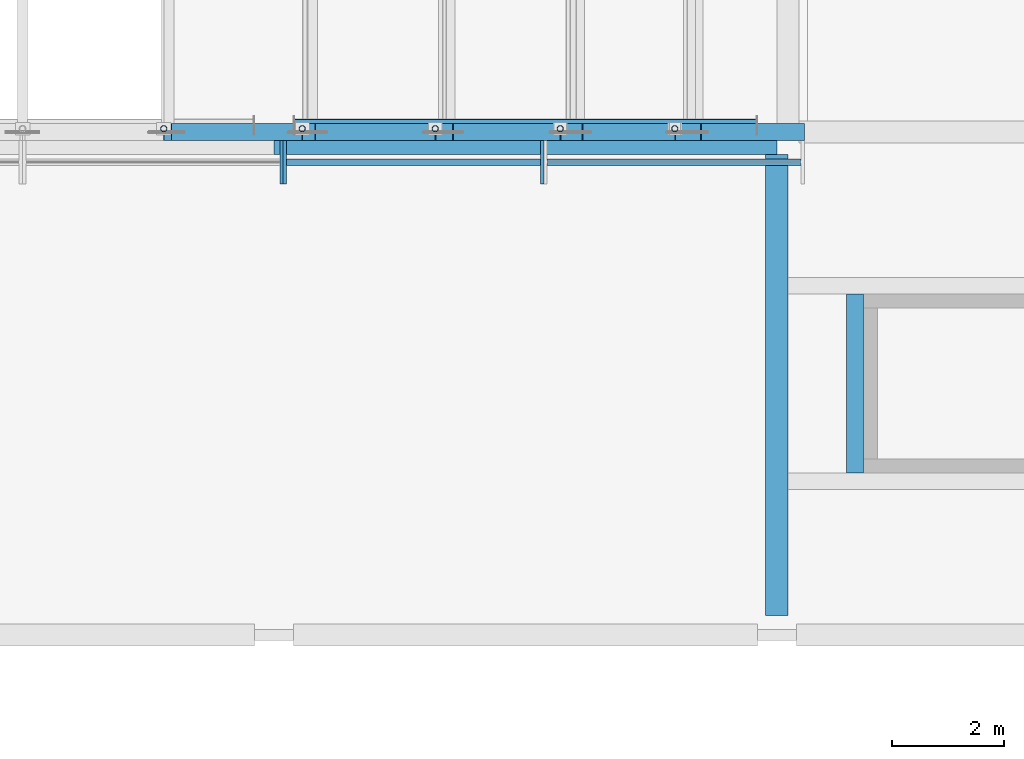
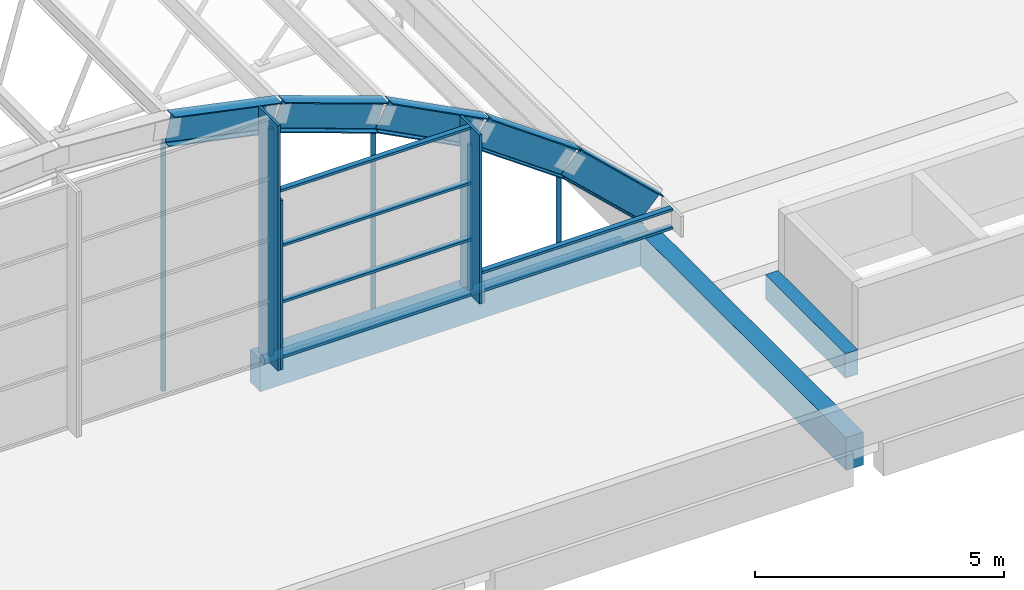
# One storey, part 7 of 43: 15 members, 8 beams, 3 elements without a shape of their own.
"""IFC4 building model written with IfcOpenShell, lengths in metres."""

import ifcopenshell
import ifcopenshell.guid

model = None  # the IFC model being written
_history = None  # IfcOwnerHistory: only IFC2X3 demands one
_inside = {}  # id of a spatial element -> (the spatial element, [elements in it])
_under = {}  # id of a project, library or spatial element -> (it, [spatial elements below it])
_declared = {}  # id of a project -> (the project, [libraries it declares])
_typed = {}  # id of a type object -> (the type object, [elements of that type])
_made_of = {}  # id of a material, layer set ... -> (it, [elements and type objects made of it])


def new_model(schema):
    """Start an empty IFC model of exactly this schema.

    Asked for "IFC4X3", IfcOpenShell would pick the latest addendum, in which some entities
    have other attributes; the version numbers below select the first issue.
    IFC2X3 requires an IfcOwnerHistory on every rooted entity: one is made here for all.
    """
    global model, _history
    if schema == "IFC4X3":
        model = ifcopenshell.file(schema_version=(4, 3, 0, 0))
    else:
        model = ifcopenshell.file(schema=schema)
    _inside.clear()
    _under.clear()
    _declared.clear()
    _typed.clear()
    _made_of.clear()
    _history = None
    if model.schema == "IFC2X3":
        org = make("IfcOrganization", Name="unknown")
        user = make(
            "IfcPersonAndOrganization",
            ThePerson=make("IfcPerson", FamilyName="unknown"),
            TheOrganization=org,
        )
        app = make(
            "IfcApplication",
            ApplicationDeveloper=org,
            Version="unknown",
            ApplicationFullName="unknown",
            ApplicationIdentifier="unknown",
        )
        _history = make(
            "IfcOwnerHistory",
            OwningUser=user,
            OwningApplication=app,
            ChangeAction="ADDED",
            CreationDate=0,
        )
    return model


def make(cls, **values):
    """One entity of the class cls with the attributes given. An attribute that is None is left unset."""
    return model.create_entity(
        cls, **{name: value for name, value in values.items() if value is not None}
    )


def rooted(cls, **values):
    """An entity with a GlobalId (a new one), such as an element, a storey or a relation."""
    return make(cls, GlobalId=ifcopenshell.guid.new(), OwnerHistory=_history, **values)


def si_unit(unit_type, name, prefix=None):
    """IfcSIUnit, for example si_unit("LENGTHUNIT", "METRE", prefix="MILLI")."""
    return make("IfcSIUnit", UnitType=unit_type, Prefix=prefix, Name=name)


def assignment(units):
    """IfcUnitAssignment: the units of a project."""
    return None if units is None else make("IfcUnitAssignment", Units=units)


def point(xyz):
    """IfcCartesianPoint."""
    return None if xyz is None else make("IfcCartesianPoint", Coordinates=xyz)


def direction(xyz):
    """IfcDirection."""
    return None if xyz is None else make("IfcDirection", DirectionRatios=xyz)


def frame(location, z_axis=None, x_axis=None):
    """IfcAxis2Placement3D, a coordinate frame: its origin and axes. An axis left out is left unset."""
    return make(
        "IfcAxis2Placement3D",
        Location=point(location),
        Axis=direction(z_axis),
        RefDirection=direction(x_axis),
    )


def frame_2d(location, x_axis=None):
    """IfcAxis2Placement2D, a coordinate frame in the plane: its origin and x axis."""
    return make(
        "IfcAxis2Placement2D", Location=point(location), RefDirection=direction(x_axis)
    )


def origin():
    """The frame at (0, 0, 0) with its axes left unset."""
    return frame((0.0, 0.0, 0.0))


def origin_2d():
    """The frame at (0, 0) in the plane with its x axis left unset."""
    return frame_2d((0.0, 0.0))


def place(relative_to, where):
    """IfcLocalPlacement: puts the frame where relative to a parent placement (None: the world)."""
    return make(
        "IfcLocalPlacement", PlacementRelTo=relative_to, RelativePlacement=where
    )


def context(
    kind, dimensions, precision=None, world=None, true_north=None, identifier=None
):
    """IfcGeometricRepresentationContext, for example the 3D "Model" context."""
    return make(
        "IfcGeometricRepresentationContext",
        ContextIdentifier=identifier,
        ContextType=kind,
        CoordinateSpaceDimension=dimensions,
        Precision=precision,
        WorldCoordinateSystem=world,
        TrueNorth=true_north,
    )


def subcontext(parent, identifier, kind, view, scale=None):
    """IfcGeometricRepresentationSubContext, for example "Body" below "Model"."""
    return make(
        "IfcGeometricRepresentationSubContext",
        ContextIdentifier=identifier,
        ContextType=kind,
        ParentContext=parent,
        TargetScale=scale,
        TargetView=view,
    )


def project(units=None, contexts=None):
    """IfcProject with its units and contexts."""
    return rooted(
        "IfcProject",
        Name="project",
        RepresentationContexts=contexts,
        UnitsInContext=assignment(units),
    )


def spatial(cls, under=None, at=None, **own):
    """A site, building, storey or space (cls), placed at a placement, below another one or the project."""
    s = rooted(cls, ObjectPlacement=at, **own)
    if under is not None:
        _under.setdefault(under.id(), (under, []))[1].append(s)
    return s


def profile(cls, at=None, kind="AREA", **sizes):
    """A parametric profile (cls). Its sizes go by their IFC names, for example OverallWidth=200.0."""
    return make(cls, ProfileType=kind, Position=at, **sizes)


def rectangle(**sizes):
    """IfcRectangleProfileDef."""
    return profile("IfcRectangleProfileDef", **sizes)


def hollow_circle(**sizes):
    """IfcCircleHollowProfileDef."""
    return profile("IfcCircleHollowProfileDef", **sizes)


def i_section(**sizes):
    """IfcIShapeProfileDef."""
    return profile("IfcIShapeProfileDef", **sizes)


def extrude(swept, where, along, depth):
    """IfcExtrudedAreaSolid: the profile swept, set in the frame where, extruded along a direction by depth."""
    return make(
        "IfcExtrudedAreaSolid",
        SweptArea=swept,
        Position=where,
        ExtrudedDirection=direction(along),
        Depth=depth,
    )


def shape(context_of_items, identifier, shape_type, items):
    """IfcShapeRepresentation: the items that make up one representation, for example the "Body"."""
    return make(
        "IfcShapeRepresentation",
        ContextOfItems=context_of_items,
        RepresentationIdentifier=identifier,
        RepresentationType=shape_type,
        Items=items,
    )


def material(Name=None, Category=None):
    """IfcMaterial."""
    return make("IfcMaterial", Name=Name, Category=Category)


def layer(
    of_material, thickness, ventilated=None, Name=None, Category=None, Priority=None
):
    """IfcMaterialLayer: one layer of a wall or slab, of a material (None: an air gap)."""
    return make(
        "IfcMaterialLayer",
        Material=of_material,
        LayerThickness=thickness,
        IsVentilated=ventilated,
        Name=Name,
        Category=Category,
        Priority=Priority,
    )


def layer_set(layers, Name=None):
    """IfcMaterialLayerSet."""
    return make("IfcMaterialLayerSet", MaterialLayers=layers, LayerSetName=Name)


def material_profile(
    of_material, cross_section, Name=None, Category=None, Priority=None
):
    """IfcMaterialProfile: a cross section and its material."""
    return make(
        "IfcMaterialProfile",
        Name=Name,
        Material=of_material,
        Profile=cross_section,
        Priority=Priority,
        Category=Category,
    )


def profile_set(profiles, Name=None, composite=None):
    """IfcMaterialProfileSet."""
    return make(
        "IfcMaterialProfileSet",
        Name=Name,
        MaterialProfiles=profiles,
        CompositeProfile=composite,
    )


def made_of(thing, what):
    """Note that an element or type object is made of a material, layer set ...; save() writes the relation."""
    if what is not None:
        _made_of.setdefault(what.id(), (what, []))[1].append(thing)
    return thing


def type_object(cls, material=None, **own):
    """A type object (cls), such as IfcWallType, which elements share."""
    return made_of(rooted(cls, **own), material)


def element(
    cls,
    number,
    at=None,
    inside=None,
    cuts=None,
    type_object=None,
    material=None,
    context=None,
    identifier="Body",
    shape_type=None,
    held_by="IfcProductDefinitionShape",
    body=None,
    shapes=None,
    **own,
):
    """One element of the class cls, such as IfcWall. Its Tag is "e" and its number.

    at: its placement. inside: the storey or other place that contains it. cuts: it is an
    opening in that element (IfcRelVoidsElement). A single representation is given by context,
    identifier, shape_type and body (its items); several are given by shapes. held_by: the class
    of the entity that holds the representations. save() writes the other relations.
    """
    e = rooted(cls, Tag="e%d" % number, ObjectPlacement=at, **own)
    if body is not None:
        shapes = [shape(context, identifier, shape_type, body)]
    if shapes is not None:
        e.Representation = make(held_by, Representations=shapes)
    if inside is not None:
        _inside.setdefault(inside.id(), (inside, []))[1].append(e)
    if cuts is not None:
        rooted(
            "IfcRelVoidsElement", RelatingBuildingElement=cuts, RelatedOpeningElement=e
        )
    if type_object is not None:
        _typed.setdefault(type_object.id(), (type_object, []))[1].append(e)
    return made_of(e, material)


def aggregate(whole, parts):
    """IfcRelAggregates: a whole, such as a stair, and the parts it consists of."""
    return rooted("IfcRelAggregates", RelatingObject=whole, RelatedObjects=parts)


def save(model, path):
    """Write the relations noted so far, then the file.

    IfcRelAggregates (storeys below a building ...), IfcRelContainedInSpatialStructure (elements
    in a storey), IfcRelDefinesByType, IfcRelAssociatesMaterial and IfcRelDeclares: one each for
    every whole, place, type object, material and project.
    """
    for whole, parts in _under.values():
        aggregate(whole, parts)
    for where, things in _inside.values():
        rooted(
            "IfcRelContainedInSpatialStructure",
            RelatedElements=things,
            RelatingStructure=where,
        )
    for kind, things in _typed.values():
        rooted("IfcRelDefinesByType", RelatedObjects=things, RelatingType=kind)
    for what, things in _made_of.values():
        rooted("IfcRelAssociatesMaterial", RelatedObjects=things, RelatingMaterial=what)
    for by, libraries in _declared.values():
        rooted("IfcRelDeclares", RelatingContext=by, RelatedDefinitions=libraries)
    model.write(path)


model = new_model("IFC4")

# Units and contexts
model_context = context("Model", 3, precision=1e-05, world=origin(), true_north=direction((0.0, 1.0)))
body_context = subcontext(model_context, "Body", "Model", "MODEL_VIEW")
ifc_project = project(units=[si_unit("LENGTHUNIT", "METRE"), si_unit("AREAUNIT", "SQUARE_METRE"), si_unit("VOLUMEUNIT", "CUBIC_METRE"), si_unit("PLANEANGLEUNIT", "RADIAN"), si_unit("MASSUNIT", "GRAM", prefix="KILO")], contexts=[model_context])

# Site, building, storey
site_placement = place(None, origin())
site = spatial("IfcSite", under=ifc_project, at=site_placement, CompositionType="ELEMENT")
building_placement = place(site_placement, origin())
building = spatial("IfcBuilding", under=site, at=building_placement, Name="Guidao Yard Department Store", CompositionType="ELEMENT")
storey_placement = place(building_placement, frame((0.0, 0.0, 28.5)))
storey = spatial("IfcBuildingStorey", under=building, at=storey_placement, Name="L06", CompositionType="ELEMENT", Elevation=28.5)

# Members
ifc_material_1 = material(Name="Steel Q355B", Category="steel")
ifc_material_profile_1 = material_profile(ifc_material_1, hollow_circle(Radius=0.056884765625, WallThickness=0.006103515625, at=origin_2d()), Name="CHS 114x6")
ifc_profile_set_1 = profile_set([ifc_material_profile_1], Name="Steel Q355B")
member_type_1 = type_object("IfcMemberType", Name="CHS 114x6", PredefinedType="BRACE", material=ifc_profile_set_1)
member_1_placement = place(storey_placement, frame((34.02734375, 54.06005859375, -0.33447265625), z_axis=(0.0, 0.0, 1.0), x_axis=(1.0, 0.0, 0.0)))
element("IfcMember", 1, at=member_1_placement, inside=storey, type_object=member_type_1, Name="Roof web strut A01-07", PredefinedType="BRACE", context=body_context, shape_type="SweptSolid", body=[
    extrude(hollow_circle(Radius=0.056884765625, WallThickness=0.006103515625, at=origin_2d()), origin(), (0.0, 0.0, 1.0), 6.064697265625),
])
member_2_placement = place(storey_placement, frame((36.50537109375, 54.06005859375, -0.33447265625), z_axis=(0.0, 0.0, 1.0), x_axis=(1.0, 0.0, 0.0)))
element("IfcMember", 2, at=member_2_placement, inside=storey, type_object=member_type_1, Name="Roof web strut A01-08", PredefinedType="BRACE", context=body_context, shape_type="SweptSolid", body=[
    extrude(hollow_circle(Radius=0.056884765625, WallThickness=0.006103515625, at=origin_2d()), origin(), (0.0, 0.0, 1.0), 5.548583984375),
])
member_3_placement = place(storey_placement, frame((38.88623046875, 54.06005859375, -0.33447265625), z_axis=(0.0, 0.0, 1.0), x_axis=(1.0, 0.0, 0.0)))
element("IfcMember", 3, at=member_3_placement, inside=storey, type_object=member_type_1, Name="Roof web strut A01-09", PredefinedType="BRACE", context=body_context, shape_type="SweptSolid", body=[
    extrude(hollow_circle(Radius=0.056884765625, WallThickness=0.006103515625, at=origin_2d()), origin(), (0.0, 0.0, 1.0), 4.69970703125),
])
member_4_placement = place(storey_placement, frame((41.123291015625, 54.06005859375, -0.33447265625), z_axis=(0.0, 0.0, 1.0), x_axis=(1.0, 0.0, 0.0)))
element("IfcMember", 4, at=member_4_placement, inside=storey, type_object=member_type_1, Name="Roof web strut A01-10", PredefinedType="BRACE", context=body_context, shape_type="SweptSolid", body=[
    extrude(hollow_circle(Radius=0.056884765625, WallThickness=0.006103515625, at=origin_2d()), origin(), (0.0, 0.0, 1.0), 3.534423828125),
])
member_5_placement = place(storey_placement, frame((43.173583984375, 54.06005859375, -0.33447265625), z_axis=(0.0, 0.0, 1.0), x_axis=(1.0, 0.0, 0.0)))
element("IfcMember", 5, at=member_5_placement, inside=storey, type_object=member_type_1, Name="Roof web strut A01-11", PredefinedType="BRACE", context=body_context, shape_type="SweptSolid", body=[
    extrude(hollow_circle(Radius=0.056884765625, WallThickness=0.006103515625, at=origin_2d()), origin(), (0.0, 0.0, 1.0), 2.075439453125),
])
ifc_material_2 = material(Name="Steel Q355B", Category="steel")
ifc_material_profile_2 = material_profile(ifc_material_2, hollow_circle(Radius=0.109619140625, WallThickness=0.010009765625, at=origin_2d()), Name="CHS 219x10")
ifc_profile_set_2 = profile_set([ifc_material_profile_2], Name="Steel Q355B")
member_type_2 = type_object("IfcMemberType", Name="CHS 219x10", PredefinedType="BRACE", material=ifc_profile_set_2)
member_6_placement = place(storey_placement, frame((36.35009765625, 54.1201171875, -0.449951171875), z_axis=(1.0, 0.0, 0.0), x_axis=(0.0, 1.0, 0.0)))
element("IfcMember", 6, at=member_6_placement, inside=storey, type_object=member_type_2, Name="Roof tie rod A01-3", PredefinedType="BRACE", context=body_context, shape_type="SweptSolid", body=[
    extrude(hollow_circle(Radius=0.109619140625, WallThickness=0.010009765625, at=origin_2d()), origin(), (0.0, 0.0, 1.0), 8.2998046875),
])

# Beams
ifc_material_3 = material(Name="Concrete C40", Category="concrete")
ifc_material_profile_3 = material_profile(ifc_material_3, rectangle(XDim=0.39990234375, YDim=0.800048828125, at=origin_2d()), Name="Edge beam 400 x 800 C40")
ifc_profile_set_3 = profile_set([ifc_material_profile_3], Name="Concrete C40")
beam_type_1 = type_object("IfcBeamType", Name="Edge beam 400 x 800 C40", PredefinedType="BEAM", material=ifc_profile_set_3)
beam_1_placement = place(storey_placement, frame((45.0, 45.35009765625, -0.39990234375), z_axis=(0.0, 1.0, 0.0), x_axis=(-1.0, 0.0, 0.0)))
element("IfcBeam", 7, at=beam_1_placement, inside=storey, type_object=beam_type_1, Name="Beam EB29", PredefinedType="BEAM", context=body_context, shape_type="SweptSolid", body=[
    extrude(rectangle(XDim=0.39990234375, YDim=0.800048828125, at=origin_2d()), origin(), (0.0, 0.0, 1.0), 8.25),
])
ifc_material_4 = material(Name="Steel Q355B", Category="steel")
ifc_material_profile_4 = material_profile(ifc_material_4, i_section(OverallWidth=0.300048828125, OverallDepth=0.699951171875, WebThickness=0.012939453125, FlangeThickness=0.02392578125, FilletRadius=0.01806640625, at=origin_2d()), Name="HN 700x300x13x24")
ifc_profile_set_4 = profile_set([ifc_material_profile_4], Name="Steel Q355B")
beam_type_2 = type_object("IfcBeamType", Name="HN 700x300x13x24", PredefinedType="BEAM", material=ifc_profile_set_4)
beam_2_placement = place(storey_placement, frame((34.0986328125, 54.0, 6.072998046875), z_axis=(0.978991652307, 0.0, -0.203900330343), x_axis=(0.0, 1.0, 0.0)))
element("IfcBeam", 8, at=beam_2_placement, inside=storey, type_object=beam_type_2, Name="Roof rib A01-08", PredefinedType="BEAM", context=body_context, shape_type="SweptSolid", body=[
    extrude(i_section(OverallWidth=0.300048828125, OverallDepth=0.699951171875, WebThickness=0.012939453125, FlangeThickness=0.02392578125, FilletRadius=0.01806640625, at=origin_2d()), origin(), (0.0, 0.0, 1.0), 2.53125),
])
beam_3_placement = place(storey_placement, frame((36.622802734375, 54.0, 5.5439453125), z_axis=(0.94189041097, 0.0, -0.335920308588), x_axis=(0.0, 1.0, 0.0)))
element("IfcBeam", 9, at=beam_3_placement, inside=storey, type_object=beam_type_2, Name="Roof rib A01-09", PredefinedType="BEAM", context=body_context, shape_type="SweptSolid", body=[
    extrude(i_section(OverallWidth=0.300048828125, OverallDepth=0.699951171875, WebThickness=0.012939453125, FlangeThickness=0.02392578125, FilletRadius=0.01806640625, at=origin_2d()), origin(), (0.0, 0.0, 1.0), 2.52783203125),
])
beam_4_placement = place(storey_placement, frame((39.0478515625, 54.0, 4.675537109375), z_axis=(0.886910779875, 0.0, -0.461940763023), x_axis=(0.0, 1.0, 0.0)))
element("IfcBeam", 10, at=beam_4_placement, inside=storey, type_object=beam_type_2, Name="Roof rib A01-10", PredefinedType="BEAM", context=body_context, shape_type="SweptSolid", body=[
    extrude(i_section(OverallWidth=0.300048828125, OverallDepth=0.699951171875, WebThickness=0.012939453125, FlangeThickness=0.02392578125, FilletRadius=0.01806640625, at=origin_2d()), origin(), (0.0, 0.0, 1.0), 2.5224609375),
])
beam_5_placement = place(storey_placement, frame((41.326416015625, 54.0, 3.485107421875), z_axis=(0.814735308412, 0.0, -0.579833059791), x_axis=(0.0, 1.0, 0.0)))
element("IfcBeam", 11, at=beam_5_placement, inside=storey, type_object=beam_type_2, Name="Roof rib A01-11", PredefinedType="BEAM", context=body_context, shape_type="SweptSolid", body=[
    extrude(i_section(OverallWidth=0.300048828125, OverallDepth=0.699951171875, WebThickness=0.012939453125, FlangeThickness=0.02392578125, FilletRadius=0.01806640625, at=origin_2d()), origin(), (0.0, 0.0, 1.0), 2.51611328125),
])
beam_6_placement = place(storey_placement, frame((43.4140625, 54.0, 1.995361328125), z_axis=(0.726628290109, 0.0, -0.687030805724), x_axis=(0.0, 1.0, 0.0)))
element("IfcBeam", 12, at=beam_6_placement, inside=storey, type_object=beam_type_2, Name="Roof rib A01-12", PredefinedType="BEAM", context=body_context, shape_type="SweptSolid", body=[
    extrude(i_section(OverallWidth=0.300048828125, OverallDepth=0.699951171875, WebThickness=0.012939453125, FlangeThickness=0.02392578125, FilletRadius=0.01806640625, at=origin_2d()), origin(), (0.0, 0.0, 1.0), 2.533935546875),
])

# Curtain wall, member
ifc_material_5 = material(Name="Aluminium and glass", Category="aluminium")
ifc_layer = layer(ifc_material_5, 0.159912109375)
ifc_layer_set = layer_set([ifc_layer], Name="Gable glazing CW7 1500 module")
curtain_wall_type = type_object("IfcCurtainWallType", Name="Gable glazing CW7 1500 module", PredefinedType="NOTDEFINED", material=ifc_layer_set)
curtain_wall_1_placement = place(storey_placement, origin())
curtain_wall_1 = element("IfcCurtainWall", 13, at=curtain_wall_1_placement, inside=storey, type_object=curtain_wall_type, Name="Gable glazing AS4", PredefinedType="NOTDEFINED")
ifc_material_6 = material(Name="Aluminium 6063-T5", Category="aluminium")
ifc_material_profile_5 = material_profile(ifc_material_6, rectangle(XDim=0.06005859375, YDim=0.780029296875, at=origin_2d()), Name="Mullion M3 60 x 780 aluminium pressure plate")
ifc_profile_set_5 = profile_set([ifc_material_profile_5], Name="Aluminium 6063-T5")
member_type_3 = type_object("IfcMemberType", Name="Mullion M3 60 x 780 aluminium pressure plate", PredefinedType="MULLION", material=ifc_profile_set_5)
member_7_placement = place(storey_placement, frame((36.13525390625, 53.4599609375, 0.0), z_axis=(0.0, 0.0, 1.0), x_axis=(-1.0, 0.0, 0.0)))
member_7 = element("IfcMember", 14, at=member_7_placement, type_object=member_type_3, Name="CW-TAS4 mullion 2", PredefinedType="MULLION", context=body_context, shape_type="SweptSolid", body=[
    extrude(rectangle(XDim=0.06005859375, YDim=0.780029296875, at=origin_2d()), origin(), (0.0, 0.0, 1.0), 6.0),
])
aggregate(curtain_wall_1, [member_7])

# Curtain wall, members
curtain_wall_2_placement = place(storey_placement, origin())
curtain_wall_2 = element("IfcCurtainWall", 15, at=curtain_wall_2_placement, inside=storey, type_object=curtain_wall_type, Name="Gable glazing AS5", PredefinedType="NOTDEFINED")
member_8_placement = place(storey_placement, frame((36.1953125, 53.4599609375, 0.0), z_axis=(0.0, 0.0, 1.0), x_axis=(-1.0, 0.0, 0.0)))
member_8 = element("IfcMember", 16, at=member_8_placement, type_object=member_type_3, Name="CW-TAS5 mullion 1", PredefinedType="MULLION", context=body_context, shape_type="SweptSolid", body=[
    extrude(rectangle(XDim=0.06005859375, YDim=0.780029296875, at=origin_2d()), origin(), (0.0, 0.0, 1.0), 4.1416015625),
])
member_9_placement = place(storey_placement, frame((40.800537109375, 53.4599609375, 0.0), z_axis=(0.0, 0.0, 1.0), x_axis=(-1.0, 0.0, 0.0)))
member_9 = element("IfcMember", 17, at=member_9_placement, type_object=member_type_3, Name="CW-TAS5 mullion 2", PredefinedType="MULLION", context=body_context, shape_type="SweptSolid", body=[
    extrude(rectangle(XDim=0.06005859375, YDim=0.780029296875, at=origin_2d()), origin(), (0.0, 0.0, 1.0), 4.1416015625),
])

# Beam
ifc_material_7 = material(Name="Concrete C40", Category="concrete")
ifc_material_profile_6 = material_profile(ifc_material_7, rectangle(XDim=0.300048828125, YDim=0.60009765625, at=origin_2d()), Name="Opening beam 300 x 600 C40")
ifc_profile_set_6 = profile_set([ifc_material_profile_6], Name="Concrete C40")
beam_type_3 = type_object("IfcBeamType", Name="Opening beam 300 x 600 C40", PredefinedType="BEAM", material=ifc_profile_set_6)
beam_7_placement = place(storey_placement, frame((46.39990234375, 47.89990234375, -0.300048828125), z_axis=(0.0, 1.0, 0.0), x_axis=(-1.0, 0.0, 0.0)))
element("IfcBeam", 18, at=beam_7_placement, inside=storey, type_object=beam_type_3, Name="Beam OB07", PredefinedType="BEAM", context=body_context, shape_type="SweptSolid", body=[
    extrude(rectangle(XDim=0.300048828125, YDim=0.60009765625, at=origin_2d()), origin(), (0.0, 0.0, 1.0), 3.2001953125),
])

# Member
ifc_material_8 = material(Name="Aluminium 6063-T5", Category="aluminium")
ifc_material_profile_7 = material_profile(ifc_material_8, rectangle(XDim=0.1201171875, YDim=0.06005859375, at=origin_2d()), Name="Transom T1 60 x 120 aluminium pressure plate")
ifc_profile_set_7 = profile_set([ifc_material_profile_7], Name="Aluminium 6063-T5")
member_type_4 = type_object("IfcMemberType", Name="Transom T1 60 x 120 aluminium pressure plate", PredefinedType="USERDEFINED", material=ifc_profile_set_7)
member_10_placement = place(storey_placement, frame((40.7705078125, 53.4599609375, 0.030029296875), z_axis=(-1.0, 0.0, 0.0), x_axis=(0.0, -1.0, 0.0)))
member_10 = element("IfcMember", 19, at=member_10_placement, type_object=member_type_4, Name="CW-TAS5 transom 1.1", ObjectType="TRANSOM", PredefinedType="USERDEFINED", context=body_context, shape_type="SweptSolid", body=[
    extrude(rectangle(XDim=0.1201171875, YDim=0.06005859375, at=origin_2d()), origin(), (0.0, 0.0, 1.0), 4.545166015625),
])

member_11_placement = place(storey_placement, frame((40.7705078125, 53.4599609375, 1.380615234375), z_axis=(-1.0, 0.0, 0.0), x_axis=(0.0, -1.0, 0.0)))
member_11 = element("IfcMember", 20, at=member_11_placement, type_object=member_type_4, Name="CW-TAS5 transom 1.2", ObjectType="TRANSOM", PredefinedType="USERDEFINED", context=body_context, shape_type="SweptSolid", body=[
    extrude(rectangle(XDim=0.1201171875, YDim=0.06005859375, at=origin_2d()), origin(), (0.0, 0.0, 1.0), 4.545166015625),
])

member_12_placement = place(storey_placement, frame((40.7705078125, 53.4599609375, 2.760986328125), z_axis=(-1.0, 0.0, 0.0), x_axis=(0.0, -1.0, 0.0)))
member_12 = element("IfcMember", 21, at=member_12_placement, type_object=member_type_4, Name="CW-TAS5 transom 1.3", ObjectType="TRANSOM", PredefinedType="USERDEFINED", context=body_context, shape_type="SweptSolid", body=[
    extrude(rectangle(XDim=0.1201171875, YDim=0.06005859375, at=origin_2d()), origin(), (0.0, 0.0, 1.0), 4.545166015625),
])

member_13_placement = place(storey_placement, frame((40.7705078125, 53.4599609375, 4.111572265625), z_axis=(-1.0, 0.0, 0.0), x_axis=(0.0, -1.0, 0.0)))
member_13 = element("IfcMember", 22, at=member_13_placement, type_object=member_type_4, Name="CW-TAS5 transom 1.4", ObjectType="TRANSOM", PredefinedType="USERDEFINED", context=body_context, shape_type="SweptSolid", body=[
    extrude(rectangle(XDim=0.1201171875, YDim=0.06005859375, at=origin_2d()), origin(), (0.0, 0.0, 1.0), 4.545166015625),
])

aggregate(curtain_wall_2, [member_8, member_9, member_10, member_11, member_12, member_13])

# Curtain wall, members
curtain_wall_3_placement = place(storey_placement, origin())
curtain_wall_3 = element("IfcCurtainWall", 23, at=curtain_wall_3_placement, inside=storey, type_object=curtain_wall_type, Name="Gable glazing AS6", PredefinedType="NOTDEFINED")
member_14_placement = place(storey_placement, frame((45.43603515625, 53.4599609375, 0.030029296875), z_axis=(-1.0, 0.0, 0.0), x_axis=(0.0, -1.0, 0.0)))
member_14 = element("IfcMember", 24, at=member_14_placement, type_object=member_type_4, Name="CW-TAS6 transom 1.1", ObjectType="TRANSOM", PredefinedType="USERDEFINED", context=body_context, shape_type="SweptSolid", body=[
    extrude(rectangle(XDim=0.1201171875, YDim=0.06005859375, at=origin_2d()), origin(), (0.0, 0.0, 1.0), 4.54541015625),
])
member_15_placement = place(storey_placement, frame((45.43603515625, 53.4599609375, 0.478759765625), z_axis=(-1.0, 0.0, 0.0), x_axis=(0.0, -1.0, 0.0)))
member_15 = element("IfcMember", 25, at=member_15_placement, type_object=member_type_4, Name="CW-TAS6 transom 1.2", ObjectType="TRANSOM", PredefinedType="USERDEFINED", context=body_context, shape_type="SweptSolid", body=[
    extrude(rectangle(XDim=0.1201171875, YDim=0.06005859375, at=origin_2d()), origin(), (0.0, 0.0, 1.0), 4.54541015625),
])
aggregate(curtain_wall_3, [member_14, member_15])

# Beam
ifc_material_9 = material(Name="Concrete C40", Category="concrete")
ifc_material_profile_8 = material_profile(ifc_material_9, rectangle(XDim=0.39990234375, YDim=0.800048828125, at=origin_2d()), Name="Vault bearing beam 400 x 800 C40")
ifc_profile_set_8 = profile_set([ifc_material_profile_8], Name="Concrete C40")
beam_type_4 = type_object("IfcBeamType", Name="Vault bearing beam 400 x 800 C40", PredefinedType="BEAM", material=ifc_profile_set_8)
beam_8_placement = place(storey_placement, frame((36.0, 53.800048828125, -0.39990234375), z_axis=(1.0, 0.0, 0.0), x_axis=(0.0, 1.0, 0.0)))
element("IfcBeam", 26, at=beam_8_placement, inside=storey, type_object=beam_type_4, Name="Beam VB07", PredefinedType="BEAM", context=body_context, shape_type="SweptSolid", body=[
    extrude(rectangle(XDim=0.39990234375, YDim=0.800048828125, at=origin_2d()), origin(), (0.0, 0.0, 1.0), 9.0),
])

save(model, "model.ifc")
